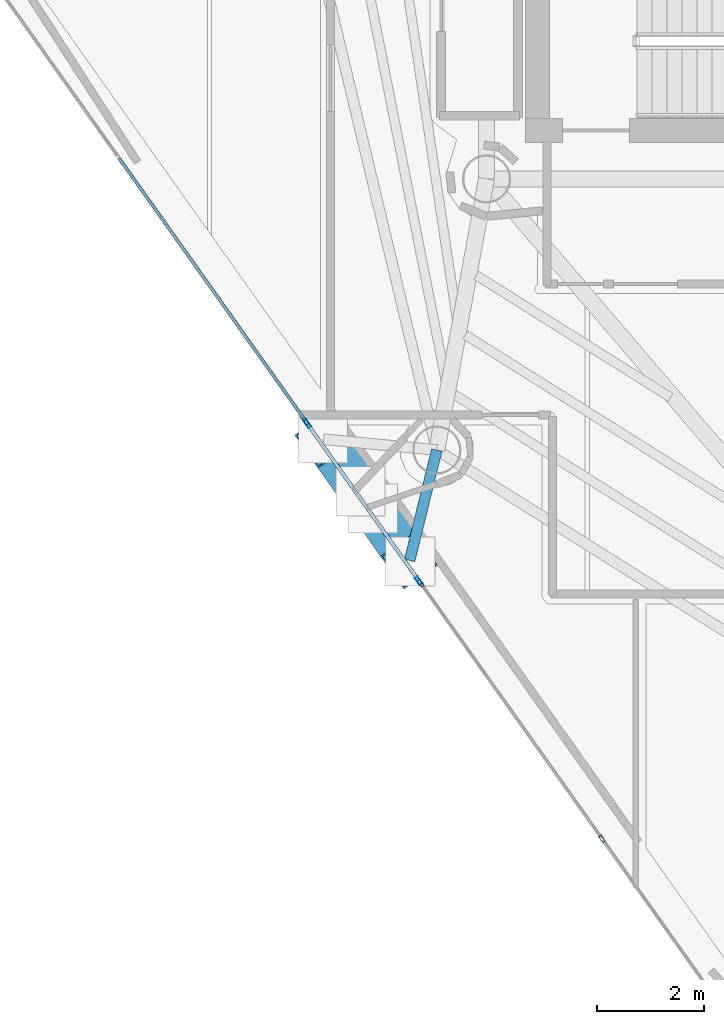
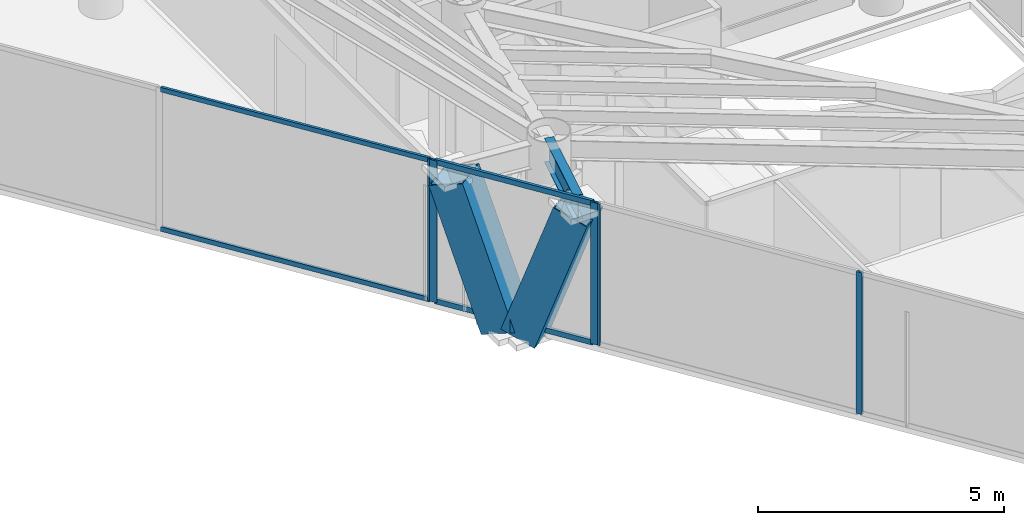
# One storey, part 2 of 22: 11 members, 1 beam, 3 elements without a shape of their own.
"""IFC4 building model written with IfcOpenShell, lengths in metres."""

from ifc_helpers import new_model, si_unit, direction, frame, origin, origin_2d, place, context, subcontext, project, spatial, hollow_rectangle, i_section, extrude, material, layer, layer_set, material_profile, profile_set, type_object, element, aggregate, save


model = new_model("IFC4")

# Units and contexts
model_context = context("Model", 3, precision=1e-05, world=origin(), true_north=direction((0.0, 1.0)))
body_context = subcontext(model_context, "Body", "Model", "MODEL_VIEW")
ifc_project = project(units=[si_unit("LENGTHUNIT", "METRE"), si_unit("AREAUNIT", "SQUARE_METRE"), si_unit("VOLUMEUNIT", "CUBIC_METRE"), si_unit("PLANEANGLEUNIT", "RADIAN"), si_unit("MASSUNIT", "GRAM", prefix="KILO")], contexts=[model_context])

# Site, building, storey
site_placement = place(None, origin())
site = spatial("IfcSite", under=ifc_project, at=site_placement, CompositionType="ELEMENT")
building_placement = place(site_placement, origin())
building = spatial("IfcBuilding", under=site, at=building_placement, Name="Qianvela Tower", CompositionType="ELEMENT")
storey_placement = place(building_placement, frame((0.0, 0.0, 299.10009765625)))
storey = spatial("IfcBuildingStorey", under=building, at=storey_placement, Name="L77", CompositionType="ELEMENT", Elevation=299.10009765625)

# Beam
ifc_material_1 = material(Name="Steel Q355B", Category="steel")
ifc_material_profile_1 = material_profile(ifc_material_1, i_section(OverallWidth=0.199951171875, OverallDepth=0.60009765625, WebThickness=0.010986328125, FlangeThickness=0.01708984375, at=origin_2d()), Name="HN600x200x11x17")
ifc_profile_set_1 = profile_set([ifc_material_profile_1], Name="Steel Q355B")
beam_type = type_object("IfcBeamType", Name="BM-HN600-GIRD", PredefinedType="BEAM", material=ifc_profile_set_1)
beam_placement = place(storey_placement, frame((27.669921875, 18.77392578125, 3.218017578125), z_axis=(-0.238970786312, -0.971026757247, 0.0), x_axis=(0.971026757247, -0.238970786312, 0.0)))
element("IfcBeam", 1, at=beam_placement, inside=storey, type_object=beam_type, Name="L77 Mega-Brace Column Tie Bracket F2-2", PredefinedType="BEAM", context=body_context, shape_type="SweptSolid", body=[
    extrude(i_section(OverallWidth=0.199951171875, OverallDepth=0.60009765625, WebThickness=0.010986328125, FlangeThickness=0.01708984375, at=origin_2d()), origin(), (0.0, 0.0, 1.0), 2.128173828125),
])

# Curtain wall, members
ifc_material_2 = material(Name="Anodised Architectural Aluminium and Insulated Spandrel Panel", Category="aluminium")
ifc_layer_1 = layer(ifc_material_2, 0.179931640625)
ifc_layer_set_1 = layer_set([ifc_layer_1], Name="Anodised Architectural Aluminium and Insulated Spandrel Panel")
curtain_wall_type_1 = type_object("IfcCurtainWallType", Name="CW-BRACEBAY", PredefinedType="USERDEFINED", material=ifc_layer_set_1)
curtain_wall_1_placement = place(storey_placement, origin())
curtain_wall_1 = element("IfcCurtainWall", 2, at=curtain_wall_1_placement, inside=storey, type_object=curtain_wall_type_1, Name="L77 CW-BRACEBAY Curtain Wall 04B", ObjectType="CURTAIN_WALL_SYSTEM", PredefinedType="USERDEFINED")
ifc_material_3 = material(Name="Anodised Architectural Aluminium 6063-T6", Category="aluminium")
ifc_material_profile_2 = material_profile(ifc_material_3, hollow_rectangle(XDim=0.06494140625, YDim=0.159912109375, WallThickness=0.0048828125, at=origin_2d()), Name="ALU-MULL-65x160")
ifc_profile_set_2 = profile_set([ifc_material_profile_2], Name="Anodised Architectural Aluminium 6063-T6")
member_type_1 = type_object("IfcMemberType", Name="CW-BRACEBAY-MULL", PredefinedType="MULLION", material=ifc_profile_set_2)
member_1_placement = place(storey_placement, frame((25.25, 19.2626953125, 0.0), z_axis=(0.0, 0.0, 1.0), x_axis=(0.815525863619, 0.578720628429, 0.0)))
member_1 = element("IfcMember", 3, at=member_1_placement, type_object=member_type_1, Name="CW-9 mullion 1", PredefinedType="MULLION", context=body_context, shape_type="SweptSolid", body=[
    extrude(hollow_rectangle(XDim=0.06494140625, YDim=0.159912109375, WallThickness=0.0048828125, at=origin_2d()), origin(), (0.0, 0.0, 1.0), 3.52001953125),
])
member_2_placement = place(storey_placement, frame((27.33056640625, 16.330810546875, 0.0), z_axis=(0.0, 0.0, 1.0), x_axis=(0.815525863619, 0.578720628429, 0.0)))
member_2 = element("IfcMember", 4, at=member_2_placement, type_object=member_type_1, Name="CW-9 mullion 2", PredefinedType="MULLION", context=body_context, shape_type="SweptSolid", body=[
    extrude(hollow_rectangle(XDim=0.06494140625, YDim=0.159912109375, WallThickness=0.0048828125, at=origin_2d()), origin(), (0.0, 0.0, 1.0), 3.52001953125),
])
ifc_material_4 = material(Name="Anodised Architectural Aluminium 6063-T6", Category="aluminium")
ifc_material_profile_3 = material_profile(ifc_material_4, hollow_rectangle(XDim=0.06494140625, YDim=0.1298828125, WallThickness=0.00439453125, at=origin_2d()), Name="ALU-TRAN-65x130")
ifc_profile_set_3 = profile_set([ifc_material_profile_3], Name="Anodised Architectural Aluminium 6063-T6")
member_type_2 = type_object("IfcMemberType", Name="CW-BRACEBAY-TRAN", PredefinedType="USERDEFINED", material=ifc_profile_set_3)
member_3_placement = place(storey_placement, frame((25.268798828125, 19.236083984375, 0.032470703125), z_axis=(0.578755908548, -0.815500826683, 0.0), x_axis=(0.815500826683, 0.578755908548, 0.0)))
member_3 = element("IfcMember", 5, at=member_3_placement, type_object=member_type_2, Name="CW-9 transom 1.1", ObjectType="TRANSOM", PredefinedType="USERDEFINED", context=body_context, shape_type="SweptSolid", body=[
    extrude(hollow_rectangle(XDim=0.06494140625, YDim=0.1298828125, WallThickness=0.00439453125, at=origin_2d()), origin(), (0.0, 0.0, 1.0), 3.530029296875),
])
member_4_placement = place(storey_placement, frame((25.268798828125, 19.236083984375, 3.4873046875), z_axis=(0.578755908548, -0.815500826683, 0.0), x_axis=(0.815500826683, 0.578755908548, 0.0)))
member_4 = element("IfcMember", 6, at=member_4_placement, type_object=member_type_2, Name="CW-9 transom 1.2", ObjectType="TRANSOM", PredefinedType="USERDEFINED", context=body_context, shape_type="SweptSolid", body=[
    extrude(hollow_rectangle(XDim=0.06494140625, YDim=0.1298828125, WallThickness=0.00439453125, at=origin_2d()), origin(), (0.0, 0.0, 1.0), 3.530029296875),
])
aggregate(curtain_wall_1, [member_1, member_2, member_3, member_4])

# Curtain wall, member
ifc_material_5 = material(Name="Anodised Architectural Aluminium and Low-E Glass", Category="aluminium")
ifc_layer_2 = layer(ifc_material_5, 0.14990234375)
ifc_layer_set_2 = layer_set([ifc_layer_2], Name="Anodised Architectural Aluminium and Low-E Glass")
curtain_wall_type_2 = type_object("IfcCurtainWallType", Name="CW-COLIV-Z78", PredefinedType="USERDEFINED", material=ifc_layer_set_2)
curtain_wall_2_placement = place(storey_placement, origin())
curtain_wall_2 = element("IfcCurtainWall", 7, at=curtain_wall_2_placement, inside=storey, type_object=curtain_wall_type_2, Name="L77 CW-COLIV-Z78 Curtain Wall 04A", ObjectType="CURTAIN_WALL_SYSTEM", PredefinedType="USERDEFINED")
ifc_material_6 = material(Name="Anodised Architectural Aluminium 6063-T6", Category="aluminium")
ifc_material_profile_4 = material_profile(ifc_material_6, hollow_rectangle(XDim=0.06005859375, YDim=0.139892578125, WallThickness=0.00439453125, at=origin_2d()), Name="ALU-MULL-60x140")
ifc_profile_set_4 = profile_set([ifc_material_profile_4], Name="Anodised Architectural Aluminium 6063-T6")
member_type_3 = type_object("IfcMemberType", Name="CW-COLIV-Z78-MULL", PredefinedType="MULLION", material=ifc_profile_set_4)
member_5_placement = place(storey_placement, frame((25.2138671875, 19.3134765625, 0.0), z_axis=(0.0, 0.0, 1.0), x_axis=(0.815531728459, 0.578712363681, 0.0)))
member_5 = element("IfcMember", 8, at=member_5_placement, type_object=member_type_3, Name="CW-6 mullion 3", PredefinedType="MULLION", context=body_context, shape_type="SweptSolid", body=[
    extrude(hollow_rectangle(XDim=0.06005859375, YDim=0.139892578125, WallThickness=0.00439453125, at=origin_2d()), origin(), (0.0, 0.0, 1.0), 3.52001953125),
])

# Curtain wall, members
curtain_wall_3_placement = place(storey_placement, origin())
curtain_wall_3 = element("IfcCurtainWall", 9, at=curtain_wall_3_placement, inside=storey, type_object=curtain_wall_type_2, Name="L77 CW-COLIV-Z78 Curtain Wall 04C", ObjectType="CURTAIN_WALL_SYSTEM", PredefinedType="USERDEFINED")
member_6_placement = place(storey_placement, frame((27.36669921875, 16.27978515625, 0.0), z_axis=(0.0, 0.0, 1.0), x_axis=(0.815527281768, 0.578718629985, 0.0)))
member_6 = element("IfcMember", 10, at=member_6_placement, type_object=member_type_3, Name="CW-6 mullion 1", PredefinedType="MULLION", context=body_context, shape_type="SweptSolid", body=[
    extrude(hollow_rectangle(XDim=0.06005859375, YDim=0.139892578125, WallThickness=0.00439453125, at=origin_2d()), origin(), (0.0, 0.0, 1.0), 3.52001953125),
])
member_7_placement = place(storey_placement, frame((30.76220703125, 11.4951171875, 0.0), z_axis=(0.0, 0.0, 1.0), x_axis=(0.815527281768, 0.578718629985, 0.0)))
member_7 = element("IfcMember", 11, at=member_7_placement, type_object=member_type_3, Name="CW-6 mullion 2", PredefinedType="MULLION", context=body_context, shape_type="SweptSolid", body=[
    extrude(hollow_rectangle(XDim=0.06005859375, YDim=0.139892578125, WallThickness=0.00439453125, at=origin_2d()), origin(), (0.0, 0.0, 1.0), 3.52001953125),
])
aggregate(curtain_wall_3, [member_6, member_7])

# Member
ifc_material_7 = material(Name="Anodised Architectural Aluminium 6063-T6", Category="aluminium")
ifc_material_profile_5 = material_profile(ifc_material_7, hollow_rectangle(XDim=0.06005859375, YDim=0.114990234375, WallThickness=0.00390625, at=origin_2d()), Name="ALU-TRAN-60x115")
ifc_profile_set_5 = profile_set([ifc_material_profile_5], Name="Anodised Architectural Aluminium 6063-T6")
member_type_4 = type_object("IfcMemberType", Name="CW-COLIV-Z78-TRAN", PredefinedType="USERDEFINED", material=ifc_profile_set_5)
member_8_placement = place(storey_placement, frame((21.718505859375, 24.239501953125, 0.02978515625), z_axis=(0.578706916963, -0.815535593496, 0.0), x_axis=(0.815535593496, 0.578706916963, 0.0)))
member_8 = element("IfcMember", 12, at=member_8_placement, type_object=member_type_4, Name="CW-6 transom 2.1", ObjectType="TRANSOM", PredefinedType="USERDEFINED", context=body_context, shape_type="SweptSolid", body=[
    extrude(hollow_rectangle(XDim=0.06005859375, YDim=0.114990234375, WallThickness=0.00390625, at=origin_2d()), origin(), (0.0, 0.0, 1.0), 6.010009765625),
])

member_9_placement = place(storey_placement, frame((21.718505859375, 24.239501953125, 3.489990234375), z_axis=(0.578706916963, -0.815535593496, 0.0), x_axis=(0.815535593496, 0.578706916963, 0.0)))
member_9 = element("IfcMember", 13, at=member_9_placement, type_object=member_type_4, Name="CW-6 transom 2.2", ObjectType="TRANSOM", PredefinedType="USERDEFINED", context=body_context, shape_type="SweptSolid", body=[
    extrude(hollow_rectangle(XDim=0.06005859375, YDim=0.114990234375, WallThickness=0.00390625, at=origin_2d()), origin(), (0.0, 0.0, 1.0), 6.010009765625),
])

aggregate(curtain_wall_2, [member_5, member_8, member_9])

# Members
ifc_material_8 = material(Name="Steel Q420GJC", Category="steel")
ifc_material_profile_6 = material_profile(ifc_material_8, hollow_rectangle(XDim=0.800048828125, YDim=0.800048828125, WallThickness=0.028076171875, at=origin_2d()), Name="MBOX-800x800x28")
ifc_profile_set_6 = profile_set([ifc_material_profile_6], Name="Steel Q420GJC")
member_type_5 = type_object("IfcMemberType", Name="MBR-MBRACE-800", PredefinedType="BRACE", material=ifc_profile_set_6)
for number, where, z_axis, x_axis, name in (
    (14, (26.22900390625, 18.021240234375, -0.14013671875), (-0.190495973861, 0.268547837746, 0.944242205572), (-0.815630924263, -0.578572549803, 0.0), "L77 Tier 13 Exterior Mega-Brace F2A"),
    (15, (26.483642578125, 17.662353515625, -0.14013671875), (0.190565641223, -0.268480627818, 0.944247260453), (0.815462699762, 0.578809627855, 0.0), "L77 Tier 13 Exterior Mega-Brace F2B"),
):
    element("IfcMember", number, at=place(storey_placement, frame(where, z_axis=z_axis, x_axis=x_axis)), inside=storey, type_object=member_type_5, Name=name, PredefinedType="BRACE", context=body_context, shape_type="SweptSolid", body=[
        extrude(hollow_rectangle(XDim=0.800048828125, YDim=0.800048828125, WallThickness=0.028076171875, at=origin_2d()), origin(), (0.0, 0.0, 1.0), 3.556396484375),
    ])

save(model, "model.ifc")
